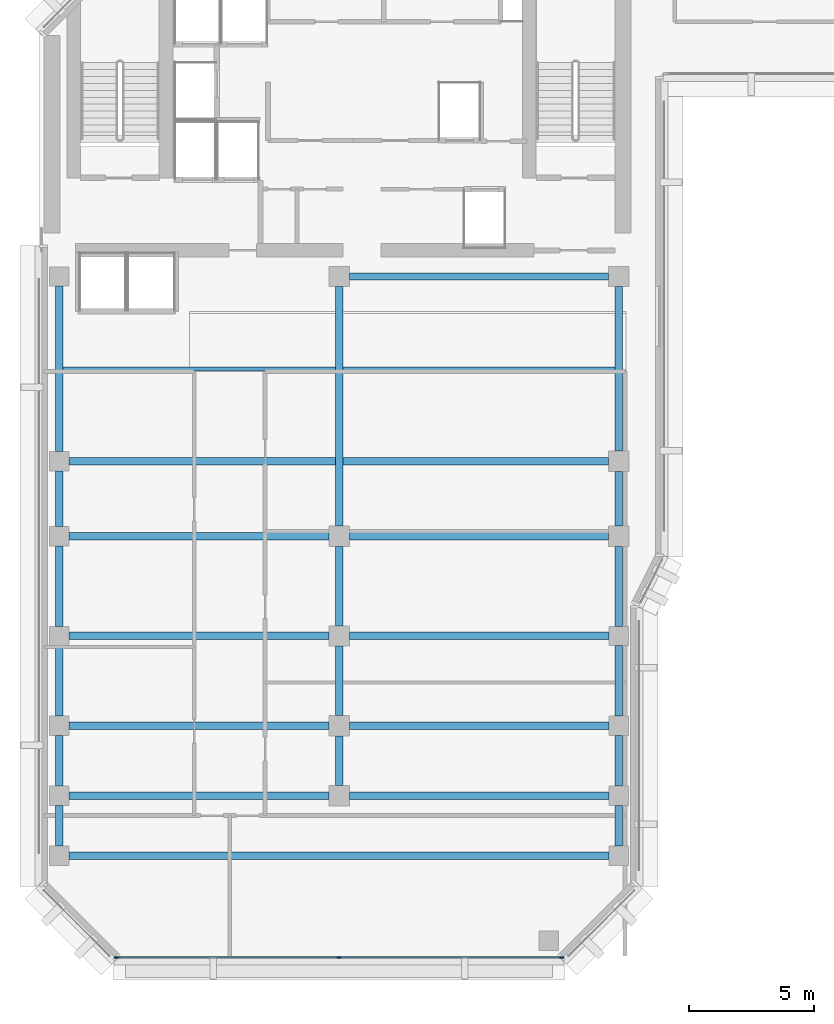
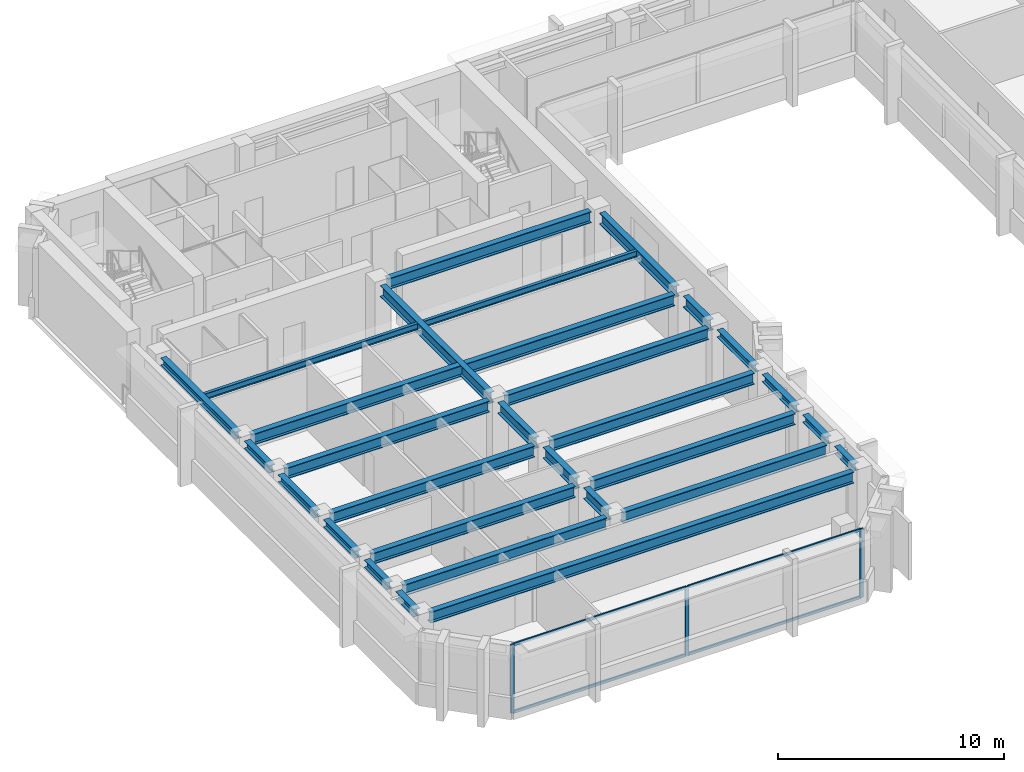
# One storey, part 2 of 11: 29 beams, 7 members, 1 element without a shape of its own.
"""IFC4 building model written with IfcOpenShell, lengths in metres."""

from ifc_helpers import new_model, si_unit, direction, frame, origin, origin_2d, place, context, subcontext, project, spatial, rectangle, i_section, extrude, material, layer, layer_set, material_profile, profile_set, type_object, element, aggregate, save


model = new_model("IFC4")

# Units and contexts
model_context = context("Model", 3, precision=1e-05, world=origin(), true_north=direction((0.0, 1.0)))
body_context = subcontext(model_context, "Body", "Model", "MODEL_VIEW")
ifc_project = project(units=[si_unit("LENGTHUNIT", "METRE"), si_unit("AREAUNIT", "SQUARE_METRE"), si_unit("VOLUMEUNIT", "CUBIC_METRE"), si_unit("PLANEANGLEUNIT", "RADIAN"), si_unit("MASSUNIT", "GRAM", prefix="KILO")], contexts=[model_context])

# Site, building, storey
site_placement = place(None, origin())
site = spatial("IfcSite", under=ifc_project, at=site_placement, CompositionType="ELEMENT")
building_placement = place(site_placement, origin())
building = spatial("IfcBuilding", under=site, at=building_placement, Name="Kefirva Bronze Tower", CompositionType="ELEMENT")
storey_placement = place(building_placement, frame((0.0, 0.0, 239.580078125)))
storey = spatial("IfcBuildingStorey", under=building, at=storey_placement, Name="L58", CompositionType="ELEMENT", Elevation=239.580078125)

# Curtain wall, members
ifc_material_1 = material(Name="Bronze anodised aluminium", Category="aluminium")
ifc_layer = layer(ifc_material_1, 0.179931640625, Name="Bronze anodised aluminium")
ifc_layer_set = layer_set([ifc_layer], Name="Bronze anodised aluminium")
curtain_wall_type = type_object("IfcCurtainWallType", Name="Unitised Bronze Ribbon Curtain Wall Zone 3", PredefinedType="USERDEFINED", material=ifc_layer_set)
curtain_wall_placement = place(storey_placement, origin())
curtain_wall = element("IfcCurtainWall", 1, at=curtain_wall_placement, inside=storey, type_object=curtain_wall_type, Name="L58 Curtain Wall 1", ObjectType="UNITISED CURTAIN WALL", PredefinedType="USERDEFINED")
ifc_material_profile_1 = material_profile(ifc_material_1, rectangle(XDim=0.074951171875, YDim=0.179931640625, at=origin_2d()), Name="ALU 75x180")
ifc_profile_set_1 = profile_set([ifc_material_profile_1], Name="Bronze anodised aluminium")
member_type_1 = type_object("IfcMemberType", Name="Bronze Mullion 75x180", PredefinedType="MULLION", material=ifc_profile_set_1)
member_1_placement = place(storey_placement, frame((3.092529296875, 5.919921875, 0.0), z_axis=(0.0, 0.0, 1.0), x_axis=(0.0, 1.0, 0.0)))
member_1 = element("IfcMember", 2, at=member_1_placement, type_object=member_type_1, Name="CW-03 mullion 1", PredefinedType="MULLION", context=body_context, shape_type="SweptSolid", body=[
    extrude(rectangle(XDim=0.074951171875, YDim=0.179931640625, at=origin_2d()), origin(), (0.0, 0.0, 1.0), 3.7099609375),
])
member_2_placement = place(storey_placement, frame((12.0, 5.919921875, 0.0), z_axis=(0.0, 0.0, 1.0), x_axis=(0.0, 1.0, 0.0)))
member_2 = element("IfcMember", 3, at=member_2_placement, type_object=member_type_1, Name="CW-03 mullion 2", PredefinedType="MULLION", context=body_context, shape_type="SweptSolid", body=[
    extrude(rectangle(XDim=0.074951171875, YDim=0.179931640625, at=origin_2d()), origin(), (0.0, 0.0, 1.0), 3.7099609375),
])
member_3_placement = place(storey_placement, frame((20.907470703125, 5.919921875, 0.0), z_axis=(0.0, 0.0, 1.0), x_axis=(0.0, 1.0, 0.0)))
member_3 = element("IfcMember", 4, at=member_3_placement, type_object=member_type_1, Name="CW-03 mullion 3", PredefinedType="MULLION", context=body_context, shape_type="SweptSolid", body=[
    extrude(rectangle(XDim=0.074951171875, YDim=0.179931640625, at=origin_2d()), origin(), (0.0, 0.0, 1.0), 3.7099609375),
])
ifc_material_profile_2 = material_profile(ifc_material_1, rectangle(XDim=0.074951171875, YDim=0.14990234375, at=origin_2d()), Name="ALU 75x150")
ifc_profile_set_2 = profile_set([ifc_material_profile_2], Name="Bronze anodised aluminium")
member_type_2 = type_object("IfcMemberType", Name="Bronze Transom 75x150", PredefinedType="USERDEFINED", material=ifc_profile_set_2)
member_4_placement = place(storey_placement, frame((3.1298828125, 5.919921875, 0.037353515625), z_axis=(1.0, 0.0, 0.0), x_axis=(0.0, 1.0, 0.0)))
member_4 = element("IfcMember", 5, at=member_4_placement, type_object=member_type_2, Name="CW-03 transom 1.1", ObjectType="TRANSOM", PredefinedType="USERDEFINED", context=body_context, shape_type="SweptSolid", body=[
    extrude(rectangle(XDim=0.074951171875, YDim=0.14990234375, at=origin_2d()), origin(), (0.0, 0.0, 1.0), 8.83251953125),
])
member_5_placement = place(storey_placement, frame((3.1298828125, 5.919921875, 3.67236328125), z_axis=(1.0, 0.0, 0.0), x_axis=(0.0, 1.0, 0.0)))
member_5 = element("IfcMember", 6, at=member_5_placement, type_object=member_type_2, Name="CW-03 transom 1.2", ObjectType="TRANSOM", PredefinedType="USERDEFINED", context=body_context, shape_type="SweptSolid", body=[
    extrude(rectangle(XDim=0.074951171875, YDim=0.14990234375, at=origin_2d()), origin(), (0.0, 0.0, 1.0), 8.83251953125),
])
member_6_placement = place(storey_placement, frame((12.03759765625, 5.919921875, 0.037353515625), z_axis=(1.0, 0.0, 0.0), x_axis=(0.0, 1.0, 0.0)))
member_6 = element("IfcMember", 7, at=member_6_placement, type_object=member_type_2, Name="CW-03 transom 2.1", ObjectType="TRANSOM", PredefinedType="USERDEFINED", context=body_context, shape_type="SweptSolid", body=[
    extrude(rectangle(XDim=0.074951171875, YDim=0.14990234375, at=origin_2d()), origin(), (0.0, 0.0, 1.0), 8.83251953125),
])
member_7_placement = place(storey_placement, frame((12.03759765625, 5.919921875, 3.67236328125), z_axis=(1.0, 0.0, 0.0), x_axis=(0.0, 1.0, 0.0)))
member_7 = element("IfcMember", 8, at=member_7_placement, type_object=member_type_2, Name="CW-03 transom 2.2", ObjectType="TRANSOM", PredefinedType="USERDEFINED", context=body_context, shape_type="SweptSolid", body=[
    extrude(rectangle(XDim=0.074951171875, YDim=0.14990234375, at=origin_2d()), origin(), (0.0, 0.0, 1.0), 8.83251953125),
])
aggregate(curtain_wall, [member_1, member_2, member_3, member_4, member_5, member_6, member_7])

# Beams
ifc_material_2 = material(Name="Steel S355", Category="steel")
ifc_material_profile_3 = material_profile(ifc_material_2, i_section(OverallWidth=0.159912109375, OverallDepth=0.330078125, WebThickness=0.007568359375, FlangeThickness=0.011474609375, at=origin_2d()), Name="IPE 330")
ifc_profile_set_3 = profile_set([ifc_material_profile_3], Name="Steel S355")
beam_type_1 = type_object("IfcBeamType", Name="Steel Floor Joist IPE 330", PredefinedType="JOIST", material=ifc_profile_set_3)
for number, where, z_axis, x_axis, name in (
    (9, (0.949951171875, 29.489990234375, 3.544921875), (1.0, 0.0, 0.0), (0.0, 1.0, 0.0), "L58 JST-L58-0-294"),
    (10, (12.14990234375, 29.5, 3.544921875), (1.0, 0.0, 0.0), (0.0, 1.0, 0.0), "L58 JST-L58-12-295"),
):
    element("IfcBeam", number, at=place(storey_placement, frame(where, z_axis=z_axis, x_axis=x_axis)), inside=storey, type_object=beam_type_1, Name=name, PredefinedType="JOIST", context=body_context, shape_type="SweptSolid", body=[
        extrude(i_section(OverallWidth=0.159912109375, OverallDepth=0.330078125, WebThickness=0.007568359375, FlangeThickness=0.011474609375, at=origin_2d()), origin(), (0.0, 0.0, 1.0), 10.900146484375),
    ])
ifc_material_profile_4 = material_profile(ifc_material_2, i_section(OverallWidth=0.300048828125, OverallDepth=0.60009765625, WebThickness=0.015380859375, FlangeThickness=0.030029296875, at=origin_2d()), Name="HEB 600")
ifc_profile_set_4 = profile_set([ifc_material_profile_4], Name="Steel S355")
beam_type_2 = type_object("IfcBeamType", Name="Steel Girder HEB 600", PredefinedType="USERDEFINED", material=ifc_profile_set_4)
beam_1_placement = place(storey_placement, frame((1.18994140625, 10.0, 3.409912109375), z_axis=(1.0, 0.0, 0.0), x_axis=(0.0, 1.0, 0.0)))
element("IfcBeam", 11, at=beam_1_placement, inside=storey, type_object=beam_type_2, Name="L58 BM-L58-EW-0-100", ObjectType="GIRDER", PredefinedType="USERDEFINED", context=body_context, shape_type="SweptSolid", body=[
    extrude(i_section(OverallWidth=0.300048828125, OverallDepth=0.60009765625, WebThickness=0.015380859375, FlangeThickness=0.030029296875, at=origin_2d()), origin(), (0.0, 0.0, 1.0), 21.6201171875),
])
for number, where, z_axis, x_axis, name in (
    (12, (1.18994140625, 12.39990234375, 3.409912109375), (1.0, 0.0, 0.0), (0.0, 1.0, 0.0), "L58 BM-L58-EW-0-124"),
    (13, (12.409912109375, 12.39990234375, 3.409912109375), (1.0, 0.0, 0.0), (0.0, 1.0, 0.0), "L58 BM-L58-EW-12-124"),
    (14, (1.18994140625, 15.199951171875, 3.409912109375), (1.0, 0.0, 0.0), (0.0, 1.0, 0.0), "L58 BM-L58-EW-0-152"),
    (15, (12.409912109375, 15.199951171875, 3.409912109375), (1.0, 0.0, 0.0), (0.0, 1.0, 0.0), "L58 BM-L58-EW-12-152"),
    (16, (1.18994140625, 18.800048828125, 3.409912109375), (1.0, 0.0, 0.0), (0.0, 1.0, 0.0), "L58 BM-L58-EW-0-188"),
    (17, (12.409912109375, 18.800048828125, 3.409912109375), (1.0, 0.0, 0.0), (0.0, 1.0, 0.0), "L58 BM-L58-EW-12-188"),
    (18, (1.18994140625, 22.800048828125, 3.409912109375), (1.0, 0.0, 0.0), (0.0, 1.0, 0.0), "L58 BM-L58-EW-0-228"),
):
    element("IfcBeam", number, at=place(storey_placement, frame(where, z_axis=z_axis, x_axis=x_axis)), inside=storey, type_object=beam_type_2, Name=name, ObjectType="GIRDER", PredefinedType="USERDEFINED", context=body_context, shape_type="SweptSolid", body=[
        extrude(i_section(OverallWidth=0.300048828125, OverallDepth=0.60009765625, WebThickness=0.015380859375, FlangeThickness=0.030029296875, at=origin_2d()), origin(), (0.0, 0.0, 1.0), 10.400146484375),
    ])
beam_2_placement = place(storey_placement, frame((12.409912109375, 22.800048828125, 3.409912109375), z_axis=(1.0, 0.0, 0.0), x_axis=(0.0, 1.0, 0.0)))
element("IfcBeam", 19, at=beam_2_placement, inside=storey, type_object=beam_type_2, Name="L58 BM-L58-EW-12-228", ObjectType="GIRDER", PredefinedType="USERDEFINED", context=body_context, shape_type="SweptSolid", body=[
    extrude(i_section(OverallWidth=0.300048828125, OverallDepth=0.60009765625, WebThickness=0.015380859375, FlangeThickness=0.030029296875, at=origin_2d()), origin(), (0.0, 0.0, 1.0), 10.380126953125),
])
beam_3_placement = place(storey_placement, frame((1.18994140625, 25.800048828125, 3.409912109375), z_axis=(1.0, 0.0, 0.0), x_axis=(0.0, 1.0, 0.0)))
element("IfcBeam", 20, at=beam_3_placement, inside=storey, type_object=beam_type_2, Name="L58 BM-L58-EW-0-258", ObjectType="GIRDER", PredefinedType="USERDEFINED", context=body_context, shape_type="SweptSolid", body=[
    extrude(i_section(OverallWidth=0.300048828125, OverallDepth=0.60009765625, WebThickness=0.015380859375, FlangeThickness=0.030029296875, at=origin_2d()), origin(), (0.0, 0.0, 1.0), 21.60009765625),
])
beam_4_placement = place(storey_placement, frame((12.409912109375, 33.199951171875, 3.409912109375), z_axis=(1.0, 0.0, 0.0), x_axis=(0.0, 1.0, 0.0)))
element("IfcBeam", 21, at=beam_4_placement, inside=storey, type_object=beam_type_2, Name="L58 BM-L58-EW-12-332", ObjectType="GIRDER", PredefinedType="USERDEFINED", context=body_context, shape_type="SweptSolid", body=[
    extrude(i_section(OverallWidth=0.300048828125, OverallDepth=0.60009765625, WebThickness=0.015380859375, FlangeThickness=0.030029296875, at=origin_2d()), origin(), (0.0, 0.0, 1.0), 10.380126953125),
])
beam_5_placement = place(storey_placement, frame((12.0, 12.81005859375, 3.409912109375), z_axis=(0.0, 1.0, 0.0), x_axis=(-1.0, 0.0, 0.0)))
element("IfcBeam", 22, at=beam_5_placement, inside=storey, type_object=beam_type_2, Name="L58 BM-L58-NS-120-12", ObjectType="GIRDER", PredefinedType="USERDEFINED", context=body_context, shape_type="SweptSolid", body=[
    extrude(i_section(OverallWidth=0.300048828125, OverallDepth=0.60009765625, WebThickness=0.015380859375, FlangeThickness=0.030029296875, at=origin_2d()), origin(), (0.0, 0.0, 1.0), 1.97998046875),
])
beam_6_placement = place(storey_placement, frame((12.0, 15.610107421875, 3.409912109375), z_axis=(0.0, 1.0, 0.0), x_axis=(-1.0, 0.0, 0.0)))
element("IfcBeam", 23, at=beam_6_placement, inside=storey, type_object=beam_type_2, Name="L58 BM-L58-NS-120-15", ObjectType="GIRDER", PredefinedType="USERDEFINED", context=body_context, shape_type="SweptSolid", body=[
    extrude(i_section(OverallWidth=0.300048828125, OverallDepth=0.60009765625, WebThickness=0.015380859375, FlangeThickness=0.030029296875, at=origin_2d()), origin(), (0.0, 0.0, 1.0), 2.77978515625),
])
beam_7_placement = place(storey_placement, frame((12.0, 19.2099609375, 3.409912109375), z_axis=(0.0, 1.0, 0.0), x_axis=(-1.0, 0.0, 0.0)))
element("IfcBeam", 24, at=beam_7_placement, inside=storey, type_object=beam_type_2, Name="L58 BM-L58-NS-120-18", ObjectType="GIRDER", PredefinedType="USERDEFINED", context=body_context, shape_type="SweptSolid", body=[
    extrude(i_section(OverallWidth=0.300048828125, OverallDepth=0.60009765625, WebThickness=0.015380859375, FlangeThickness=0.030029296875, at=origin_2d()), origin(), (0.0, 0.0, 1.0), 3.179931640625),
])
beam_8_placement = place(storey_placement, frame((12.0, 23.2099609375, 3.409912109375), z_axis=(0.0, 1.0, 0.0), x_axis=(-1.0, 0.0, 0.0)))
element("IfcBeam", 25, at=beam_8_placement, inside=storey, type_object=beam_type_2, Name="L58 BM-L58-NS-120-22", ObjectType="GIRDER", PredefinedType="USERDEFINED", context=body_context, shape_type="SweptSolid", body=[
    extrude(i_section(OverallWidth=0.300048828125, OverallDepth=0.60009765625, WebThickness=0.015380859375, FlangeThickness=0.030029296875, at=origin_2d()), origin(), (0.0, 0.0, 1.0), 9.580078125),
])
beam_9_placement = place(storey_placement, frame((23.199951171875, 23.2099609375, 3.409912109375), z_axis=(0.0, 1.0, 0.0), x_axis=(-1.0, 0.0, 0.0)))
element("IfcBeam", 26, at=beam_9_placement, inside=storey, type_object=beam_type_2, Name="L58 BM-L58-NS-232-22", ObjectType="GIRDER", PredefinedType="USERDEFINED", context=body_context, shape_type="SweptSolid", body=[
    extrude(i_section(OverallWidth=0.300048828125, OverallDepth=0.60009765625, WebThickness=0.015380859375, FlangeThickness=0.030029296875, at=origin_2d()), origin(), (0.0, 0.0, 1.0), 2.179931640625),
])
beam_10_placement = place(storey_placement, frame((23.199951171875, 26.2099609375, 3.409912109375), z_axis=(0.0, 1.0, 0.0), x_axis=(-1.0, 0.0, 0.0)))
element("IfcBeam", 27, at=beam_10_placement, inside=storey, type_object=beam_type_2, Name="L58 BM-L58-NS-232-25", ObjectType="GIRDER", PredefinedType="USERDEFINED", context=body_context, shape_type="SweptSolid", body=[
    extrude(i_section(OverallWidth=0.300048828125, OverallDepth=0.60009765625, WebThickness=0.015380859375, FlangeThickness=0.030029296875, at=origin_2d()), origin(), (0.0, 0.0, 1.0), 6.580078125),
])
ifc_material_profile_5 = material_profile(ifc_material_2, i_section(OverallWidth=0.300048828125, OverallDepth=0.39990234375, WebThickness=0.013427734375, FlangeThickness=0.02392578125, at=origin_2d()), Name="HEB 400")
ifc_profile_set_5 = profile_set([ifc_material_profile_5], Name="Steel S355")
beam_type_3 = type_object("IfcBeamType", Name="Steel Spandrel HEB 400 Ext", PredefinedType="SPANDREL", material=ifc_profile_set_5)
beam_11_placement = place(storey_placement, frame((0.800048828125, 10.389892578125, 3.510009765625), z_axis=(0.0, 1.0, 0.0), x_axis=(-1.0, 0.0, 0.0)))
element("IfcBeam", 28, at=beam_11_placement, inside=storey, type_object=beam_type_3, Name="L58 BM-L58-NS-8-10", PredefinedType="SPANDREL", context=body_context, shape_type="SweptSolid", body=[
    extrude(i_section(OverallWidth=0.300048828125, OverallDepth=0.39990234375, WebThickness=0.013427734375, FlangeThickness=0.02392578125, at=origin_2d()), origin(), (0.0, 0.0, 1.0), 1.6201171875),
])
beam_12_placement = place(storey_placement, frame((0.800048828125, 12.7900390625, 3.510009765625), z_axis=(0.0, 1.0, 0.0), x_axis=(-1.0, 0.0, 0.0)))
element("IfcBeam", 29, at=beam_12_placement, inside=storey, type_object=beam_type_3, Name="L58 BM-L58-NS-8-12", PredefinedType="SPANDREL", context=body_context, shape_type="SweptSolid", body=[
    extrude(i_section(OverallWidth=0.300048828125, OverallDepth=0.39990234375, WebThickness=0.013427734375, FlangeThickness=0.02392578125, at=origin_2d()), origin(), (0.0, 0.0, 1.0), 2.02001953125),
])
beam_13_placement = place(storey_placement, frame((0.800048828125, 15.590087890625, 3.510009765625), z_axis=(0.0, 1.0, 0.0), x_axis=(-1.0, 0.0, 0.0)))
element("IfcBeam", 30, at=beam_13_placement, inside=storey, type_object=beam_type_3, Name="L58 BM-L58-NS-8-15", PredefinedType="SPANDREL", context=body_context, shape_type="SweptSolid", body=[
    extrude(i_section(OverallWidth=0.300048828125, OverallDepth=0.39990234375, WebThickness=0.013427734375, FlangeThickness=0.02392578125, at=origin_2d()), origin(), (0.0, 0.0, 1.0), 2.81982421875),
])
beam_14_placement = place(storey_placement, frame((0.800048828125, 19.18994140625, 3.510009765625), z_axis=(0.0, 1.0, 0.0), x_axis=(-1.0, 0.0, 0.0)))
element("IfcBeam", 31, at=beam_14_placement, inside=storey, type_object=beam_type_3, Name="L58 BM-L58-NS-8-18", PredefinedType="SPANDREL", context=body_context, shape_type="SweptSolid", body=[
    extrude(i_section(OverallWidth=0.300048828125, OverallDepth=0.39990234375, WebThickness=0.013427734375, FlangeThickness=0.02392578125, at=origin_2d()), origin(), (0.0, 0.0, 1.0), 3.219970703125),
])
beam_15_placement = place(storey_placement, frame((0.800048828125, 23.18994140625, 3.510009765625), z_axis=(0.0, 1.0, 0.0), x_axis=(-1.0, 0.0, 0.0)))
element("IfcBeam", 32, at=beam_15_placement, inside=storey, type_object=beam_type_3, Name="L58 BM-L58-NS-8-22", PredefinedType="SPANDREL", context=body_context, shape_type="SweptSolid", body=[
    extrude(i_section(OverallWidth=0.300048828125, OverallDepth=0.39990234375, WebThickness=0.013427734375, FlangeThickness=0.02392578125, at=origin_2d()), origin(), (0.0, 0.0, 1.0), 2.219970703125),
])
beam_16_placement = place(storey_placement, frame((0.800048828125, 26.18994140625, 3.510009765625), z_axis=(0.0, 1.0, 0.0), x_axis=(-1.0, 0.0, 0.0)))
element("IfcBeam", 33, at=beam_16_placement, inside=storey, type_object=beam_type_3, Name="L58 BM-L58-NS-8-25", PredefinedType="SPANDREL", context=body_context, shape_type="SweptSolid", body=[
    extrude(i_section(OverallWidth=0.300048828125, OverallDepth=0.39990234375, WebThickness=0.013427734375, FlangeThickness=0.02392578125, at=origin_2d()), origin(), (0.0, 0.0, 1.0), 6.6201171875),
])
beam_17_placement = place(storey_placement, frame((23.199951171875, 10.389892578125, 3.510009765625), z_axis=(0.0, 1.0, 0.0), x_axis=(-1.0, 0.0, 0.0)))
element("IfcBeam", 34, at=beam_17_placement, inside=storey, type_object=beam_type_3, Name="L58 BM-L58-NS-232-10", PredefinedType="SPANDREL", context=body_context, shape_type="SweptSolid", body=[
    extrude(i_section(OverallWidth=0.300048828125, OverallDepth=0.39990234375, WebThickness=0.013427734375, FlangeThickness=0.02392578125, at=origin_2d()), origin(), (0.0, 0.0, 1.0), 1.6201171875),
])
beam_18_placement = place(storey_placement, frame((23.199951171875, 12.7900390625, 3.510009765625), z_axis=(0.0, 1.0, 0.0), x_axis=(-1.0, 0.0, 0.0)))
element("IfcBeam", 35, at=beam_18_placement, inside=storey, type_object=beam_type_3, Name="L58 BM-L58-NS-232-12", PredefinedType="SPANDREL", context=body_context, shape_type="SweptSolid", body=[
    extrude(i_section(OverallWidth=0.300048828125, OverallDepth=0.39990234375, WebThickness=0.013427734375, FlangeThickness=0.02392578125, at=origin_2d()), origin(), (0.0, 0.0, 1.0), 2.02001953125),
])
beam_19_placement = place(storey_placement, frame((23.199951171875, 15.590087890625, 3.510009765625), z_axis=(0.0, 1.0, 0.0), x_axis=(-1.0, 0.0, 0.0)))
element("IfcBeam", 36, at=beam_19_placement, inside=storey, type_object=beam_type_3, Name="L58 BM-L58-NS-232-15", PredefinedType="SPANDREL", context=body_context, shape_type="SweptSolid", body=[
    extrude(i_section(OverallWidth=0.300048828125, OverallDepth=0.39990234375, WebThickness=0.013427734375, FlangeThickness=0.02392578125, at=origin_2d()), origin(), (0.0, 0.0, 1.0), 2.81982421875),
])
beam_20_placement = place(storey_placement, frame((23.199951171875, 19.18994140625, 3.510009765625), z_axis=(0.0, 1.0, 0.0), x_axis=(-1.0, 0.0, 0.0)))
element("IfcBeam", 37, at=beam_20_placement, inside=storey, type_object=beam_type_3, Name="L58 BM-L58-NS-232-18", PredefinedType="SPANDREL", context=body_context, shape_type="SweptSolid", body=[
    extrude(i_section(OverallWidth=0.300048828125, OverallDepth=0.39990234375, WebThickness=0.013427734375, FlangeThickness=0.02392578125, at=origin_2d()), origin(), (0.0, 0.0, 1.0), 3.199951171875),
])

save(model, "model.ifc")
